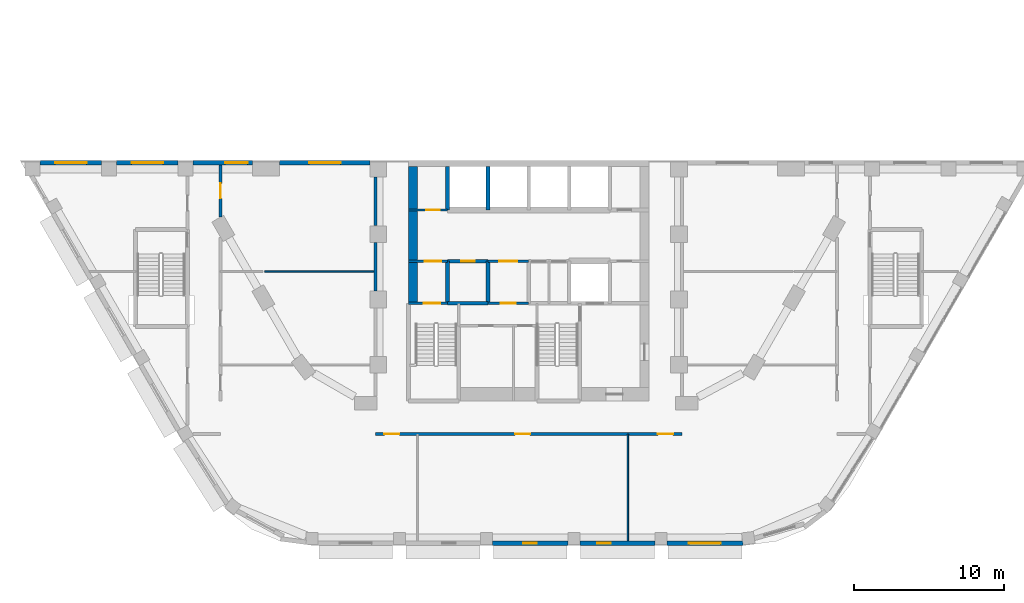
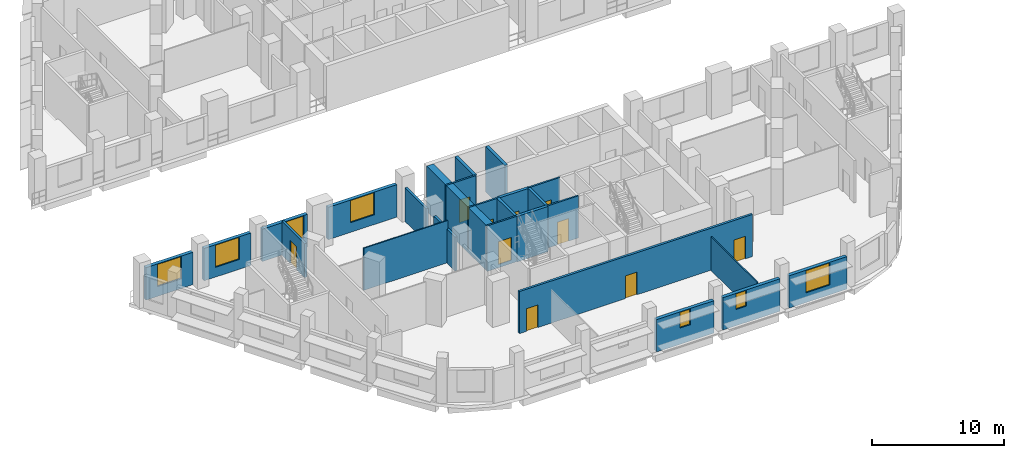
# One storey, part 17 of 33: 25 walls, 10 doors, 7 windows, 17 openings.
"""IFC4 building model written with IfcOpenShell, lengths in metres."""

from ifc_helpers import new_model, si_unit, direction, frame, frame_2d, origin, place, context, subcontext, project, spatial, rectangle, extrude, material, layer, layer_set, type_object, element, fill, save


model = new_model("IFC4")

# Units and contexts
model_context = context("Model", 3, precision=1e-05, world=origin(), true_north=direction((0.0, 1.0)))
body_context = subcontext(model_context, "Body", "Model", "MODEL_VIEW")
ifc_project = project(units=[si_unit("LENGTHUNIT", "METRE"), si_unit("AREAUNIT", "SQUARE_METRE"), si_unit("VOLUMEUNIT", "CUBIC_METRE"), si_unit("PLANEANGLEUNIT", "RADIAN"), si_unit("MASSUNIT", "GRAM", prefix="KILO")], contexts=[model_context])

# Site, building, storey
site_placement = place(None, origin())
site = spatial("IfcSite", under=ifc_project, at=site_placement, CompositionType="ELEMENT")
building_placement = place(site_placement, origin())
building = spatial("IfcBuilding", under=site, at=building_placement, Name="Nakaniwa Court", CompositionType="ELEMENT")
storey_placement = place(building_placement, frame((0.0, 0.0, 19.800048828125)))
storey = spatial("IfcBuildingStorey", under=building, at=storey_placement, Name="L04", CompositionType="ELEMENT", Elevation=19.800048828125)

# Wall, opening, door
ifc_material_1 = material(Name="Acoustic double stud partition")
ifc_layer_1 = layer(ifc_material_1, 0.199951171875)
ifc_layer_set_1 = layer_set([ifc_layer_1], Name="Acoustic double stud partition")
wall_type_1 = type_object("IfcWallType", Name="Acoustic double stud partition 200", PredefinedType="PARTITIONING", material=ifc_layer_set_1)
wall_1_placement = place(storey_placement, frame((59.5, 72.300048828125, 0.0), z_axis=(0.0, 0.0, 1.0), x_axis=(0.0, -1.0, 0.0)))
wall_1 = element("IfcWall", 1, at=wall_1_placement, inside=storey, type_object=wall_type_1, Name="Partition PW-097", PredefinedType="PARTITIONING", context=body_context, shape_type="SweptSolid", body=[
    extrude(rectangle(XDim=3.44921875, YDim=0.199951171875, at=frame_2d((1.724609375, 0.0))), origin(), (0.0, 0.0, 1.0), 3.1298828125),
])
opening_1_placement = place(wall_1_placement, frame((1.222900390625, 0.0, 0.0)))
opening_1 = element("IfcOpeningElement", 2, at=opening_1_placement, cuts=wall_1, Name="Opening D-02-16", PredefinedType="OPENING", context=body_context, shape_type="SweptSolid", body=[
    extrude(rectangle(XDim=1.0, YDim=2.10009765625, at=frame_2d((0.5, 1.050048828125))), frame((0.0, 0.10986328125, 0.0), z_axis=(0.0, -1.0, 0.0), x_axis=(1.0, 0.0, 0.0)), (0.0, 0.0, 1.0), 0.219970703125),
])
ifc_material_2 = material(Name="Solid core timber door set, black veneer", Category="wood")
door_type_1 = type_object("IfcDoorType", Name="Internal door 1000", OperationType="NOTDEFINED", PredefinedType="DOOR", material=ifc_material_2)
door_1_placement = place(opening_1_placement, origin())
door_1 = element("IfcDoor", 3, at=door_1_placement, inside=storey, type_object=door_type_1, Name="Door D-02-16 L04-047", OperationType="SINGLE_SWING_RIGHT", OverallHeight=2.10009765625, OverallWidth=1.0, PredefinedType="DOOR", context=body_context, shape_type="SweptSolid", body=[
    extrude(rectangle(XDim=1.0, YDim=2.10009765625, at=frame_2d((0.5, 1.050048828125))), frame((0.0, 0.02490234375, 0.0), z_axis=(0.0, -1.0, 0.0), x_axis=(1.0, 0.0, 0.0)), (0.0, 0.0, 1.0), 0.050048828125),
])
fill(opening_1, door_1)

# Walls
wall_2_placement = place(storey_placement, frame((69.800048828125, 63.9169921875, 0.0), z_axis=(0.0, 0.0, 1.0), x_axis=(0.0, 1.0, 0.0)))
element("IfcWall", 4, at=wall_2_placement, inside=storey, type_object=wall_type_1, Name="Partition PW-110", PredefinedType="PARTITIONING", context=body_context, shape_type="SweptSolid", body=[
    extrude(rectangle(XDim=3.216064453125, YDim=0.199951171875, at=frame_2d((1.60791015625, 0.0))), origin(), (0.0, 0.0, 1.0), 3.1298828125),
])
wall_3_placement = place(storey_placement, frame((69.800048828125, 68.26708984375, 0.0), z_axis=(0.0, 0.0, 1.0), x_axis=(0.0, 1.0, 0.0)))
element("IfcWall", 5, at=wall_3_placement, inside=storey, type_object=wall_type_1, Name="Partition PW-111", PredefinedType="PARTITIONING", context=body_context, shape_type="SweptSolid", body=[
    extrude(rectangle(XDim=3.2158203125, YDim=0.199951171875, at=frame_2d((1.60791015625, 0.0))), origin(), (0.0, 0.0, 1.0), 3.1298828125),
])

# Wall, openings, doors
wall_4_placement = place(storey_placement, frame((90.199951171875, 54.39990234375, 0.0), z_axis=(0.0, 0.0, 1.0), x_axis=(-1.0, 0.0, 0.0)))
wall_4 = element("IfcWall", 6, at=wall_4_placement, inside=storey, type_object=wall_type_1, Name="Partition PW-131", PredefinedType="PARTITIONING", context=body_context, shape_type="SweptSolid", body=[
    extrude(rectangle(XDim=20.39990234375, YDim=0.199951171875, at=frame_2d((10.199951171875, 0.0))), origin(), (0.0, 0.0, 1.0), 3.89990234375),
])
opening_2_placement = place(wall_4_placement, frame((18.800048828125, 0.0, 0.0)))
opening_2 = element("IfcOpeningElement", 7, at=opening_2_placement, cuts=wall_4, Name="Opening D-02-19", PredefinedType="OPENING", context=body_context, shape_type="SweptSolid", body=[
    extrude(rectangle(XDim=1.0, YDim=2.10009765625, at=frame_2d((0.5, 1.050048828125))), frame((0.0, 0.10986328125, 0.0), z_axis=(0.0, -1.0, 0.0), x_axis=(1.0, 0.0, 0.0)), (0.0, 0.0, 1.0), 0.219970703125),
])
opening_3_placement = place(wall_4_placement, frame((0.60009765625, 0.0, 0.0)))
opening_3 = element("IfcOpeningElement", 8, at=opening_3_placement, cuts=wall_4, Name="Opening D-02-20", PredefinedType="OPENING", context=body_context, shape_type="SweptSolid", body=[
    extrude(rectangle(XDim=1.0, YDim=2.10009765625, at=frame_2d((0.5, 1.050048828125))), frame((0.0, 0.10986328125, 0.0), z_axis=(0.0, -1.0, 0.0), x_axis=(1.0, 0.0, 0.0)), (0.0, 0.0, 1.0), 0.219970703125),
])
opening_4_placement = place(wall_4_placement, frame((10.10009765625, 0.0, 0.0)))
opening_4 = element("IfcOpeningElement", 9, at=opening_4_placement, cuts=wall_4, Name="Opening D-02-21", PredefinedType="OPENING", context=body_context, shape_type="SweptSolid", body=[
    extrude(rectangle(XDim=1.0, YDim=2.10009765625, at=frame_2d((0.5, 1.050048828125))), frame((0.0, 0.10986328125, 0.0), z_axis=(0.0, -1.0, 0.0), x_axis=(1.0, 0.0, 0.0)), (0.0, 0.0, 1.0), 0.219970703125),
])
door_2_placement = place(opening_2_placement, origin())
door_2 = element("IfcDoor", 10, at=door_2_placement, inside=storey, type_object=door_type_1, Name="Door D-02-19 L04-050", OperationType="SINGLE_SWING_LEFT", OverallHeight=2.10009765625, OverallWidth=1.0, PredefinedType="DOOR", context=body_context, shape_type="SweptSolid", body=[
    extrude(rectangle(XDim=1.0, YDim=2.10009765625, at=frame_2d((0.5, 1.050048828125))), frame((0.0, 0.02490234375, 0.0), z_axis=(0.0, -1.0, 0.0), x_axis=(1.0, 0.0, 0.0)), (0.0, 0.0, 1.0), 0.050048828125),
])
fill(opening_2, door_2)
door_3_placement = place(opening_3_placement, origin())
door_3 = element("IfcDoor", 11, at=door_3_placement, inside=storey, type_object=door_type_1, Name="Door D-02-20 L04-051", OperationType="SINGLE_SWING_RIGHT", OverallHeight=2.10009765625, OverallWidth=1.0, PredefinedType="DOOR", context=body_context, shape_type="SweptSolid", body=[
    extrude(rectangle(XDim=1.0, YDim=2.10009765625, at=frame_2d((0.5, 1.050048828125))), frame((0.0, 0.02490234375, 0.0), z_axis=(0.0, -1.0, 0.0), x_axis=(1.0, 0.0, 0.0)), (0.0, 0.0, 1.0), 0.050048828125),
])
fill(opening_3, door_3)
door_4_placement = place(opening_4_placement, origin())
door_4 = element("IfcDoor", 12, at=door_4_placement, inside=storey, type_object=door_type_1, Name="Door D-02-21 L04-052", OperationType="SINGLE_SWING_LEFT", OverallHeight=2.10009765625, OverallWidth=1.0, PredefinedType="DOOR", context=body_context, shape_type="SweptSolid", body=[
    extrude(rectangle(XDim=1.0, YDim=2.10009765625, at=frame_2d((0.5, 1.050048828125))), frame((0.0, 0.02490234375, 0.0), z_axis=(0.0, -1.0, 0.0), x_axis=(1.0, 0.0, 0.0)), (0.0, 0.0, 1.0), 0.050048828125),
])
fill(opening_4, door_4)

# Wall, opening, window
ifc_material_3 = material(Name="Charcoal ceramic cladding")
ifc_layer_2 = layer(ifc_material_3, 0.02, Name="Ceramic cladding")
ifc_material_4 = material(Name="Ventilated air cavity")
ifc_layer_3 = layer(ifc_material_4, 0.04, ventilated=True, Name="Ventilated cavity")
ifc_material_5 = material(Name="Mineral wool insulation")
ifc_layer_4 = layer(ifc_material_5, 0.1, Name="Insulation")
ifc_material_6 = material(Name="Cement bonded sheathing board")
ifc_layer_5 = layer(ifc_material_6, 0.012, Name="Sheathing")
ifc_material_7 = material(Name="Cold-formed galvanised stud frame with mineral wool infill")
ifc_layer_6 = layer(ifc_material_7, 0.1, Name="Stud frame")
ifc_material_8 = material(Name="Fire-rated gypsum plasterboard lining")
ifc_layer_7 = layer(ifc_material_8, 0.028, Name="Lining")
ifc_layer_set_2 = layer_set([ifc_layer_2, ifc_layer_3, ifc_layer_4, ifc_layer_5, ifc_layer_6, ifc_layer_7], Name="Charcoal ceramic faced external wall system")
wall_type_2 = type_object("IfcWallType", Name="Black ceramic faced external wall 300", PredefinedType="SOLIDWALL", material=ifc_layer_set_2)
wall_5_placement = place(storey_placement, frame((69.4541015625, 72.449951171875, 0.0), z_axis=(0.0, 0.0, 1.0), x_axis=(-1.0, 0.0, 0.0)))
wall_5 = element("IfcWall", 13, at=wall_5_placement, inside=storey, type_object=wall_type_2, Name="L04 external wall 08", PredefinedType="SOLIDWALL", context=body_context, shape_type="SweptSolid", body=[
    extrude(rectangle(XDim=6.01611328125, YDim=0.300048828125, at=frame_2d((3.008056640625, 0.0))), origin(), (0.0, 0.0, 1.0), 3.0),
])
opening_5_placement = place(wall_5_placement, frame((1.9580078125, 0.0, 0.89990234375)))
opening_5 = element("IfcOpeningElement", 14, at=opening_5_placement, cuts=wall_5, Name="Opening W2.05", PredefinedType="OPENING", context=body_context, shape_type="SweptSolid", body=[
    extrude(rectangle(XDim=2.10009765625, YDim=2.050048828125, at=frame_2d((1.050048828125, 1.02490234375))), frame((0.0, 0.159912109375, 0.0), z_axis=(0.0, -1.0, 0.0), x_axis=(1.0, 0.0, 0.0)), (0.0, 0.0, 1.0), 0.320068359375),
])
ifc_material_9 = material(Name="Black anodised aluminium frame with dark low-E laminated double glazing", Category="aluminium")
window_type_1 = type_object("IfcWindowType", Name="Dark glass window 2100x2050 sill 900", PartitioningType="SINGLE_PANEL", PredefinedType="WINDOW", material=ifc_material_9)
window_1_placement = place(opening_5_placement, origin())
window_1 = element("IfcWindow", 15, at=window_1_placement, inside=storey, type_object=window_type_1, Name="L04 habitable room window 08-0", OverallHeight=2.050048828125, OverallWidth=2.10009765625, PartitioningType="SINGLE_PANEL", PredefinedType="WINDOW", context=body_context, shape_type="SweptSolid", body=[
    extrude(rectangle(XDim=2.10009765625, YDim=2.050048828125, at=frame_2d((1.050048828125, 1.02490234375))), frame((0.0, 0.030029296875, 0.0), z_axis=(0.0, -1.0, 0.0), x_axis=(1.0, 0.0, 0.0)), (0.0, 0.0, 1.0), 0.06005859375),
])
fill(opening_5, window_1)

wall_6_placement = place(storey_placement, frame((61.64599609375, 72.449951171875, 0.0), z_axis=(0.0, 0.0, 1.0), x_axis=(-1.0, 0.0, 0.0)))
wall_6 = element("IfcWall", 16, at=wall_6_placement, inside=storey, type_object=wall_type_2, Name="L04 external wall 09", PredefinedType="SOLIDWALL", context=body_context, shape_type="SweptSolid", body=[
    extrude(rectangle(XDim=3.972900390625, YDim=0.300048828125, at=frame_2d((1.986328125, 0.0))), origin(), (0.0, 0.0, 1.0), 3.0),
])
opening_6_placement = place(wall_6_placement, frame((0.3349609375, 0.0, 0.89990234375)))
opening_6 = element("IfcOpeningElement", 17, at=opening_6_placement, cuts=wall_6, Name="Opening W4.06", PredefinedType="OPENING", context=body_context, shape_type="SweptSolid", body=[
    extrude(rectangle(XDim=1.5, YDim=2.050048828125, at=frame_2d((0.75, 1.02490234375))), frame((0.0, 0.159912109375, 0.0), z_axis=(0.0, -1.0, 0.0), x_axis=(1.0, 0.0, 0.0)), (0.0, 0.0, 1.0), 0.320068359375),
])
window_type_2 = type_object("IfcWindowType", Name="Dark glass window 1500x2050 sill 900", PartitioningType="SINGLE_PANEL", PredefinedType="WINDOW", material=ifc_material_9)
window_2_placement = place(opening_6_placement, origin())
window_2 = element("IfcWindow", 18, at=window_2_placement, inside=storey, type_object=window_type_2, Name="L04 habitable room window 09-0", OverallHeight=2.050048828125, OverallWidth=1.5, PartitioningType="SINGLE_PANEL", PredefinedType="WINDOW", context=body_context, shape_type="SweptSolid", body=[
    extrude(rectangle(XDim=1.5, YDim=2.050048828125, at=frame_2d((0.75, 1.02490234375))), frame((0.0, 0.030029296875, 0.0), z_axis=(0.0, -1.0, 0.0), x_axis=(1.0, 0.0, 0.0)), (0.0, 0.0, 1.0), 0.06005859375),
])
fill(opening_6, window_2)

wall_7_placement = place(storey_placement, frame((56.680908203125, 72.449951171875, 0.0), z_axis=(0.0, 0.0, 1.0), x_axis=(-1.0, 0.0, 0.0)))
wall_7 = element("IfcWall", 19, at=wall_7_placement, inside=storey, type_object=wall_type_2, Name="L04 external wall 10", PredefinedType="SOLIDWALL", context=body_context, shape_type="SweptSolid", body=[
    extrude(rectangle(XDim=4.093994140625, YDim=0.300048828125, at=frame_2d((2.046875, 0.0))), origin(), (0.0, 0.0, 1.0), 3.0),
])
opening_7_placement = place(wall_7_placement, frame((0.9970703125, 0.0, 0.89990234375)))
opening_7 = element("IfcOpeningElement", 20, at=opening_7_placement, cuts=wall_7, Name="Opening W2.07", PredefinedType="OPENING", context=body_context, shape_type="SweptSolid", body=[
    extrude(rectangle(XDim=2.10009765625, YDim=2.050048828125, at=frame_2d((1.050048828125, 1.02490234375))), frame((0.0, 0.159912109375, 0.0), z_axis=(0.0, -1.0, 0.0), x_axis=(1.0, 0.0, 0.0)), (0.0, 0.0, 1.0), 0.320068359375),
])
window_3_placement = place(opening_7_placement, origin())
window_3 = element("IfcWindow", 21, at=window_3_placement, inside=storey, type_object=window_type_1, Name="L04 habitable room window 10-0", OverallHeight=2.050048828125, OverallWidth=2.10009765625, PartitioningType="SINGLE_PANEL", PredefinedType="WINDOW", context=body_context, shape_type="SweptSolid", body=[
    extrude(rectangle(XDim=2.10009765625, YDim=2.050048828125, at=frame_2d((1.050048828125, 1.02490234375))), frame((0.0, 0.030029296875, 0.0), z_axis=(0.0, -1.0, 0.0), x_axis=(1.0, 0.0, 0.0)), (0.0, 0.0, 1.0), 0.06005859375),
])
fill(opening_7, window_3)

wall_8_placement = place(storey_placement, frame((51.594970703125, 72.449951171875, 0.0), z_axis=(0.0, 0.0, 1.0), x_axis=(-1.0, 0.0, 0.0)))
wall_8 = element("IfcWall", 22, at=wall_8_placement, inside=storey, type_object=wall_type_2, Name="L04 external wall 11", PredefinedType="SOLIDWALL", context=body_context, shape_type="SweptSolid", body=[
    extrude(rectangle(XDim=4.094970703125, YDim=0.300048828125, at=frame_2d((2.04736328125, 0.0))), origin(), (0.0, 0.0, 1.0), 3.0),
])
opening_8_placement = place(wall_8_placement, frame((0.99755859375, 0.0, 0.89990234375)))
opening_8 = element("IfcOpeningElement", 23, at=opening_8_placement, cuts=wall_8, Name="Opening W2.08", PredefinedType="OPENING", context=body_context, shape_type="SweptSolid", body=[
    extrude(rectangle(XDim=2.10009765625, YDim=2.050048828125, at=frame_2d((1.050048828125, 1.02490234375))), frame((0.0, 0.159912109375, 0.0), z_axis=(0.0, -1.0, 0.0), x_axis=(1.0, 0.0, 0.0)), (0.0, 0.0, 1.0), 0.320068359375),
])
window_4_placement = place(opening_8_placement, origin())
window_4 = element("IfcWindow", 24, at=window_4_placement, inside=storey, type_object=window_type_1, Name="L04 habitable room window 11-0", OverallHeight=2.050048828125, OverallWidth=2.10009765625, PartitioningType="SINGLE_PANEL", PredefinedType="WINDOW", context=body_context, shape_type="SweptSolid", body=[
    extrude(rectangle(XDim=2.10009765625, YDim=2.050048828125, at=frame_2d((1.050048828125, 1.02490234375))), frame((0.0, 0.030029296875, 0.0), z_axis=(0.0, -1.0, 0.0), x_axis=(1.0, 0.0, 0.0)), (0.0, 0.0, 1.0), 0.06005859375),
])
fill(opening_8, window_4)

wall_9_placement = place(storey_placement, frame((77.59619140625, 47.14990234375, 0.0), z_axis=(0.0, 0.0, 1.0), x_axis=(1.0, 0.0, 0.0)))
wall_9 = element("IfcWall", 25, at=wall_9_placement, inside=storey, type_object=wall_type_2, Name="L04 external wall 21", PredefinedType="SOLIDWALL", context=body_context, shape_type="SweptSolid", body=[
    extrude(rectangle(XDim=5.01025390625, YDim=0.300048828125, at=frame_2d((2.505126953125, 0.0))), origin(), (0.0, 0.0, 1.0), 3.0),
])
opening_9_placement = place(wall_9_placement, frame((2.05517578125, 0.0, 1.5)))
opening_9 = element("IfcOpeningElement", 26, at=opening_9_placement, cuts=wall_9, Name="Opening W3.17", PredefinedType="OPENING", context=body_context, shape_type="SweptSolid", body=[
    extrude(rectangle(XDim=0.89990234375, YDim=1.449951171875, at=frame_2d((0.449951171875, 0.72509765625))), frame((0.0, 0.159912109375, 0.0), z_axis=(0.0, -1.0, 0.0), x_axis=(1.0, 0.0, 0.0)), (0.0, 0.0, 1.0), 0.320068359375),
])
window_type_3 = type_object("IfcWindowType", Name="Dark glass window 900x1450 sill 1500", PartitioningType="SINGLE_PANEL", PredefinedType="WINDOW", material=ifc_material_9)
window_5_placement = place(opening_9_placement, origin())
window_5 = element("IfcWindow", 27, at=window_5_placement, inside=storey, type_object=window_type_3, Name="L04 bathroom window 21-0", OverallHeight=1.449951171875, OverallWidth=0.89990234375, PartitioningType="SINGLE_PANEL", PredefinedType="WINDOW", context=body_context, shape_type="SweptSolid", body=[
    extrude(rectangle(XDim=0.89990234375, YDim=1.449951171875, at=frame_2d((0.449951171875, 0.72509765625))), frame((0.0, 0.030029296875, 0.0), z_axis=(0.0, -1.0, 0.0), x_axis=(1.0, 0.0, 0.0)), (0.0, 0.0, 1.0), 0.06005859375),
])
fill(opening_9, window_5)

wall_10_placement = place(storey_placement, frame((83.3984375, 47.14990234375, 0.0), z_axis=(0.0, 0.0, 1.0), x_axis=(1.0, 0.0, 0.0)))
wall_10 = element("IfcWall", 28, at=wall_10_placement, inside=storey, type_object=wall_type_2, Name="L04 external wall 22", PredefinedType="SOLIDWALL", context=body_context, shape_type="SweptSolid", body=[
    extrude(rectangle(XDim=5.01025390625, YDim=0.300048828125, at=frame_2d((2.505126953125, 0.0))), origin(), (0.0, 0.0, 1.0), 3.0),
])
opening_10_placement = place(wall_10_placement, frame((1.16259765625, 0.0, 1.5)))
opening_10 = element("IfcOpeningElement", 29, at=opening_10_placement, cuts=wall_10, Name="Opening W3.18", PredefinedType="OPENING", context=body_context, shape_type="SweptSolid", body=[
    extrude(rectangle(XDim=0.89990234375, YDim=1.449951171875, at=frame_2d((0.449951171875, 0.72509765625))), frame((0.0, 0.159912109375, 0.0), z_axis=(0.0, -1.0, 0.0), x_axis=(1.0, 0.0, 0.0)), (0.0, 0.0, 1.0), 0.320068359375),
])
window_6_placement = place(opening_10_placement, origin())
window_6 = element("IfcWindow", 30, at=window_6_placement, inside=storey, type_object=window_type_3, Name="L04 bathroom window 22-0", OverallHeight=1.449951171875, OverallWidth=0.89990234375, PartitioningType="SINGLE_PANEL", PredefinedType="WINDOW", context=body_context, shape_type="SweptSolid", body=[
    extrude(rectangle(XDim=0.89990234375, YDim=1.449951171875, at=frame_2d((0.449951171875, 0.72509765625))), frame((0.0, 0.030029296875, 0.0), z_axis=(0.0, -1.0, 0.0), x_axis=(1.0, 0.0, 0.0)), (0.0, 0.0, 1.0), 0.06005859375),
])
fill(opening_10, window_6)

wall_11_placement = place(storey_placement, frame((89.20068359375, 47.14990234375, 0.0), z_axis=(0.0, 0.0, 1.0), x_axis=(1.0, 0.0, 0.0)))
wall_11 = element("IfcWall", 31, at=wall_11_placement, inside=storey, type_object=wall_type_2, Name="L04 external wall 23", PredefinedType="SOLIDWALL", context=body_context, shape_type="SweptSolid", body=[
    extrude(rectangle(XDim=5.048095703125, YDim=0.300048828125, at=frame_2d((2.52392578125, 0.0))), origin(), (0.0, 0.0, 1.0), 3.0),
])
opening_11_placement = place(wall_11_placement, frame((1.462646484375, 0.0, 0.89990234375)))
opening_11 = element("IfcOpeningElement", 32, at=opening_11_placement, cuts=wall_11, Name="Opening W2.19", PredefinedType="OPENING", context=body_context, shape_type="SweptSolid", body=[
    extrude(rectangle(XDim=2.10009765625, YDim=2.050048828125, at=frame_2d((1.050048828125, 1.02490234375))), frame((0.0, 0.159912109375, 0.0), z_axis=(0.0, -1.0, 0.0), x_axis=(1.0, 0.0, 0.0)), (0.0, 0.0, 1.0), 0.320068359375),
])
window_7_placement = place(opening_11_placement, origin())
window_7 = element("IfcWindow", 33, at=window_7_placement, inside=storey, type_object=window_type_1, Name="L04 habitable room window 23-0", OverallHeight=2.050048828125, OverallWidth=2.10009765625, PartitioningType="SINGLE_PANEL", PredefinedType="WINDOW", context=body_context, shape_type="SweptSolid", body=[
    extrude(rectangle(XDim=2.10009765625, YDim=2.050048828125, at=frame_2d((1.050048828125, 1.02490234375))), frame((0.0, 0.030029296875, 0.0), z_axis=(0.0, -1.0, 0.0), x_axis=(1.0, 0.0, 0.0)), (0.0, 0.0, 1.0), 0.06005859375),
])
fill(opening_11, window_7)

# Wall, opening, door
ifc_material_10 = material(Name="Blockwork partition", Category="masonry")
ifc_layer_8 = layer(ifc_material_10, 0.14990234375)
ifc_layer_set_3 = layer_set([ifc_layer_8], Name="Blockwork partition")
wall_type_3 = type_object("IfcWallType", Name="Blockwork partition 150", PredefinedType="PARTITIONING", material=ifc_layer_set_3)
wall_12_placement = place(storey_placement, frame((72.0, 69.300048828125, 0.0), z_axis=(0.0, 0.0, 1.0), x_axis=(1.0, 0.0, 0.0)))
wall_12 = element("IfcWall", 34, at=wall_12_placement, inside=storey, type_object=wall_type_3, Name="Partition PW-041", PredefinedType="PARTITIONING", context=body_context, shape_type="SweptSolid", body=[
    extrude(rectangle(XDim=2.60009765625, YDim=0.14990234375, at=frame_2d((1.300048828125, 0.0))), origin(), (0.0, 0.0, 1.0), 3.89990234375),
])
opening_12_placement = place(wall_12_placement, frame((1.175048828125, 0.0, 0.0)))
opening_12 = element("IfcOpeningElement", 35, at=opening_12_placement, cuts=wall_12, Name="Opening D-05-09", PredefinedType="OPENING", context=body_context, shape_type="SweptSolid", body=[
    extrude(rectangle(XDim=0.89990234375, YDim=2.10009765625, at=frame_2d((0.449951171875, 1.050048828125))), frame((0.0, 0.0849609375, 0.0), z_axis=(0.0, -1.0, 0.0), x_axis=(1.0, 0.0, 0.0)), (0.0, 0.0, 1.0), 0.169921875),
])
ifc_material_11 = material(Name="Fire rated steel door set", Category="steel")
door_type_2 = type_object("IfcDoorType", Name="Service room door 900", OperationType="NOTDEFINED", PredefinedType="DOOR", material=ifc_material_11)
door_5_placement = place(opening_12_placement, origin())
door_5 = element("IfcDoor", 36, at=door_5_placement, inside=storey, type_object=door_type_2, Name="Door D-05-09 L04-014", OperationType="SINGLE_SWING_LEFT", OverallHeight=2.10009765625, OverallWidth=0.89990234375, PredefinedType="DOOR", context=body_context, shape_type="SweptSolid", body=[
    extrude(rectangle(XDim=0.89990234375, YDim=2.10009765625, at=frame_2d((0.449951171875, 1.050048828125))), frame((0.0, 0.02490234375, 0.0), z_axis=(0.0, -1.0, 0.0), x_axis=(1.0, 0.0, 0.0)), (0.0, 0.0, 1.0), 0.050048828125),
])
fill(opening_12, door_5)

wall_13_placement = place(storey_placement, frame((74.60302734375, 65.89990234375, 0.0), z_axis=(0.0, 0.0, 1.0), x_axis=(-1.0, 0.0, 0.0)))
wall_13 = element("IfcWall", 37, at=wall_13_placement, inside=storey, type_object=wall_type_3, Name="Partition PW-054", PredefinedType="PARTITIONING", context=body_context, shape_type="SweptSolid", body=[
    extrude(rectangle(XDim=2.60302734375, YDim=0.14990234375, at=frame_2d((1.301513671875, 0.0))), origin(), (0.0, 0.0, 1.0), 3.89990234375),
])
opening_13_placement = place(wall_13_placement, frame((0.427978515625, 0.0, 0.0)))
opening_13 = element("IfcOpeningElement", 38, at=opening_13_placement, cuts=wall_13, Name="Opening D-08-02", PredefinedType="OPENING", context=body_context, shape_type="SweptSolid", body=[
    extrude(rectangle(XDim=1.10009765625, YDim=2.10009765625, at=frame_2d((0.550048828125, 1.050048828125))), frame((0.0, 0.0849609375, 0.0), z_axis=(0.0, -1.0, 0.0), x_axis=(1.0, 0.0, 0.0)), (0.0, 0.0, 1.0), 0.169921875),
])
door_type_3 = type_object("IfcDoorType", Name="Stair lobby door 1100", OperationType="NOTDEFINED", PredefinedType="DOOR", material=ifc_material_11)
door_6_placement = place(opening_13_placement, origin())
door_6 = element("IfcDoor", 39, at=door_6_placement, inside=storey, type_object=door_type_3, Name="Door D-08-02 L04-016", OperationType="SINGLE_SWING_LEFT", OverallHeight=2.10009765625, OverallWidth=1.10009765625, PredefinedType="DOOR", context=body_context, shape_type="SweptSolid", body=[
    extrude(rectangle(XDim=1.10009765625, YDim=2.10009765625, at=frame_2d((0.550048828125, 1.050048828125))), frame((0.0, 0.02490234375, 0.0), z_axis=(0.0, -1.0, 0.0), x_axis=(1.0, 0.0, 0.0)), (0.0, 0.0, 1.0), 0.050048828125),
])
fill(opening_13, door_6)

wall_14_placement = place(storey_placement, frame((80.0029296875, 65.89990234375, 0.0), z_axis=(0.0, 0.0, 1.0), x_axis=(-1.0, 0.0, 0.0)))
wall_14 = element("IfcWall", 40, at=wall_14_placement, inside=storey, type_object=wall_type_3, Name="Partition PW-055", PredefinedType="PARTITIONING", context=body_context, shape_type="SweptSolid", body=[
    extrude(rectangle(XDim=2.705810546875, YDim=0.14990234375, at=frame_2d((1.35302734375, 0.0))), origin(), (0.0, 0.0, 1.0), 3.89990234375),
])
opening_14_placement = place(wall_14_placement, frame((0.7529296875, 0.0, 0.0)))
opening_14 = element("IfcOpeningElement", 41, at=opening_14_placement, cuts=wall_14, Name="Opening D-06-02", PredefinedType="OPENING", context=body_context, shape_type="SweptSolid", body=[
    extrude(rectangle(XDim=1.199951171875, YDim=2.10009765625, at=frame_2d((0.60009765625, 1.050048828125))), frame((0.0, 0.0849609375, 0.0), z_axis=(0.0, -1.0, 0.0), x_axis=(1.0, 0.0, 0.0)), (0.0, 0.0, 1.0), 0.169921875),
])
ifc_material_12 = material(Name="Fire rated steel double door set", Category="steel")
door_type_4 = type_object("IfcDoorType", Name="Service passage double door 1200", OperationType="NOTDEFINED", PredefinedType="DOOR", material=ifc_material_12)
door_7_placement = place(opening_14_placement, origin())
door_7 = element("IfcDoor", 42, at=door_7_placement, inside=storey, type_object=door_type_4, Name="Door D-06-02 L04-018", OperationType="DOUBLE_DOOR_SINGLE_SWING", OverallHeight=2.10009765625, OverallWidth=1.199951171875, PredefinedType="DOOR", context=body_context, shape_type="SweptSolid", body=[
    extrude(rectangle(XDim=1.199951171875, YDim=2.10009765625, at=frame_2d((0.60009765625, 1.050048828125))), frame((0.0, 0.02490234375, 0.0), z_axis=(0.0, -1.0, 0.0), x_axis=(1.0, 0.0, 0.0)), (0.0, 0.0, 1.0), 0.050048828125),
])
fill(opening_14, door_7)

wall_15_placement = place(storey_placement, frame((80.0, 63.10009765625, 0.0), z_axis=(0.0, 0.0, 1.0), x_axis=(-1.0, 0.0, 0.0)))
wall_15 = element("IfcWall", 43, at=wall_15_placement, inside=storey, type_object=wall_type_3, Name="Partition PW-063", PredefinedType="PARTITIONING", context=body_context, shape_type="SweptSolid", body=[
    extrude(rectangle(XDim=2.699951171875, YDim=0.14990234375, at=frame_2d((1.35009765625, 0.0))), origin(), (0.0, 0.0, 1.0), 3.89990234375),
])
opening_15_placement = place(wall_15_placement, frame((0.85009765625, 0.0, 0.0)))
opening_15 = element("IfcOpeningElement", 44, at=opening_15_placement, cuts=wall_15, Name="Opening D-23-02", PredefinedType="OPENING", context=body_context, shape_type="SweptSolid", body=[
    extrude(rectangle(XDim=1.0, YDim=2.10009765625, at=frame_2d((0.5, 1.050048828125))), frame((0.0, 0.0849609375, 0.0), z_axis=(0.0, -1.0, 0.0), x_axis=(1.0, 0.0, 0.0)), (0.0, 0.0, 1.0), 0.169921875),
])
door_type_5 = type_object("IfcDoorType", Name="Service room door 1000", OperationType="NOTDEFINED", PredefinedType="DOOR", material=ifc_material_11)
door_8_placement = place(opening_15_placement, origin())
door_8 = element("IfcDoor", 45, at=door_8_placement, inside=storey, type_object=door_type_5, Name="Door D-23-02 L04-022", OperationType="SINGLE_SWING_LEFT", OverallHeight=2.10009765625, OverallWidth=1.0, PredefinedType="DOOR", context=body_context, shape_type="SweptSolid", body=[
    extrude(rectangle(XDim=1.0, YDim=2.10009765625, at=frame_2d((0.5, 1.050048828125))), frame((0.0, 0.02490234375, 0.0), z_axis=(0.0, -1.0, 0.0), x_axis=(1.0, 0.0, 0.0)), (0.0, 0.0, 1.0), 0.050048828125),
])
fill(opening_15, door_8)

# Wall
ifc_material_13 = material(Name="Concrete C100/115", Category="concrete")
ifc_layer_9 = layer(ifc_material_13, 0.60009765625)
ifc_layer_set_4 = layer_set([ifc_layer_9], Name="Concrete C100/115")
wall_type_4 = type_object("IfcWallType", Name="Concrete core side wall 600 C100", PredefinedType="SHEAR", material=ifc_layer_set_4)
wall_16_placement = place(storey_placement, frame((72.300048828125, 63.10009765625, -0.300048828125), z_axis=(0.0, 0.0, 1.0), x_axis=(0.0, 1.0, 0.0)))
element("IfcWall", 46, at=wall_16_placement, inside=storey, type_object=wall_type_4, Name="Core wall SW-42", PredefinedType="SHEAR", context=body_context, shape_type="SweptSolid", body=[
    extrude(rectangle(XDim=9.099853515625, YDim=0.60009765625, at=frame_2d((4.5498046875, 0.0))), origin(), (0.0, 0.0, 1.0), 4.199951171875),
])

# Wall, opening, door
ifc_layer_10 = layer(ifc_material_13, 0.14990234375)
ifc_layer_set_5 = layer_set([ifc_layer_10], Name="Concrete C100/115")
wall_type_5 = type_object("IfcWallType", Name="Concrete core wall 150 C100", PredefinedType="SHEAR", material=ifc_layer_set_5)
wall_17_placement = place(storey_placement, frame((72.0, 63.10009765625, -0.300048828125), z_axis=(0.0, 0.0, 1.0), x_axis=(1.0, 0.0, 0.0)))
wall_17 = element("IfcWall", 47, at=wall_17_placement, inside=storey, type_object=wall_type_5, Name="Core wall SW-60", PredefinedType="SHEAR", context=body_context, shape_type="SweptSolid", body=[
    extrude(rectangle(XDim=2.60009765625, YDim=0.14990234375, at=frame_2d((1.300048828125, 0.0))), origin(), (0.0, 0.0, 1.0), 4.199951171875),
])
opening_16_placement = place(wall_17_placement, frame((1.02001953125, 0.0, 0.300048828125)))
opening_16 = element("IfcOpeningElement", 48, at=opening_16_placement, cuts=wall_17, Name="Opening D-09-02", PredefinedType="OPENING", context=body_context, shape_type="SweptSolid", body=[
    extrude(rectangle(XDim=1.10009765625, YDim=2.10009765625, at=frame_2d((0.550048828125, 1.050048828125))), frame((0.0, 0.0849609375, 0.0), z_axis=(0.0, -1.0, 0.0), x_axis=(1.0, 0.0, 0.0)), (0.0, 0.0, 1.0), 0.169921875),
])
door_type_6 = type_object("IfcDoorType", Name="Stair door 1100", OperationType="NOTDEFINED", PredefinedType="DOOR", material=ifc_material_11)
door_9_placement = place(opening_16_placement, origin())
door_9 = element("IfcDoor", 49, at=door_9_placement, inside=storey, type_object=door_type_6, Name="Door D-09-02 L04-025", OperationType="SINGLE_SWING_LEFT", OverallHeight=2.10009765625, OverallWidth=1.10009765625, PredefinedType="DOOR", context=body_context, shape_type="SweptSolid", body=[
    extrude(rectangle(XDim=1.10009765625, YDim=2.10009765625, at=frame_2d((0.550048828125, 1.050048828125))), frame((0.0, 0.02490234375, 0.0), z_axis=(0.0, -1.0, 0.0), x_axis=(1.0, 0.0, 0.0)), (0.0, 0.0, 1.0), 0.050048828125),
])
fill(opening_16, door_9)

# Walls
ifc_layer_11 = layer(ifc_material_13, 0.25)
ifc_layer_set_6 = layer_set([ifc_layer_11], Name="Concrete C100/115")
wall_type_6 = type_object("IfcWallType", Name="Concrete shaft wall 250 C100", PredefinedType="SHEAR", material=ifc_layer_set_6)
wall_18_placement = place(storey_placement, frame((74.60009765625, 63.10009765625, -0.300048828125), z_axis=(0.0, 0.0, 1.0), x_axis=(0.0, 1.0, 0.0)))
element("IfcWall", 50, at=wall_18_placement, inside=storey, type_object=wall_type_6, Name="Core wall SW-39", PredefinedType="SHEAR", context=body_context, shape_type="SweptSolid", body=[
    extrude(rectangle(XDim=2.7998046875, YDim=0.25, at=frame_2d((1.39990234375, 0.0))), origin(), (0.0, 0.0, 1.0), 4.199951171875),
])
wall_19_placement = place(storey_placement, frame((74.60009765625, 69.300048828125, -0.300048828125), z_axis=(0.0, 0.0, 1.0), x_axis=(0.0, 1.0, 0.0)))
element("IfcWall", 51, at=wall_19_placement, inside=storey, type_object=wall_type_6, Name="Core wall SW-40", PredefinedType="SHEAR", context=body_context, shape_type="SweptSolid", body=[
    extrude(rectangle(XDim=2.89990234375, YDim=0.25, at=frame_2d((1.449951171875, 0.0))), origin(), (0.0, 0.0, 1.0), 4.199951171875),
])
wall_20_placement = place(storey_placement, frame((77.300048828125, 63.10009765625, -0.300048828125), z_axis=(0.0, 0.0, 1.0), x_axis=(0.0, 1.0, 0.0)))
element("IfcWall", 52, at=wall_20_placement, inside=storey, type_object=wall_type_6, Name="Core wall SW-43", PredefinedType="SHEAR", context=body_context, shape_type="SweptSolid", body=[
    extrude(rectangle(XDim=2.7998046875, YDim=0.25, at=frame_2d((1.39990234375, 0.0))), origin(), (0.0, 0.0, 1.0), 4.199951171875),
])
wall_21_placement = place(storey_placement, frame((77.300048828125, 69.300048828125, -0.300048828125), z_axis=(0.0, 0.0, 1.0), x_axis=(0.0, 1.0, 0.0)))
element("IfcWall", 53, at=wall_21_placement, inside=storey, type_object=wall_type_6, Name="Core wall SW-44", PredefinedType="SHEAR", context=body_context, shape_type="SweptSolid", body=[
    extrude(rectangle(XDim=2.89990234375, YDim=0.25, at=frame_2d((1.449951171875, 0.0))), origin(), (0.0, 0.0, 1.0), 4.199951171875),
])

# Wall, opening, door
wall_22_placement = place(storey_placement, frame((77.302978515625, 65.89990234375, -0.300048828125), z_axis=(0.0, 0.0, 1.0), x_axis=(-1.0, 0.0, 0.0)))
wall_22 = element("IfcWall", 54, at=wall_22_placement, inside=storey, type_object=wall_type_6, Name="Core wall SW-57", PredefinedType="SHEAR", context=body_context, shape_type="SweptSolid", body=[
    extrude(rectangle(XDim=2.7060546875, YDim=0.25, at=frame_2d((1.35302734375, 0.0))), origin(), (0.0, 0.0, 1.0), 4.199951171875),
])
opening_17_placement = place(wall_22_placement, frame((0.903076171875, 0.0, 0.300048828125)))
opening_17 = element("IfcOpeningElement", 55, at=opening_17_placement, cuts=wall_22, Name="Opening D-05-11", PredefinedType="OPENING", context=body_context, shape_type="SweptSolid", body=[
    extrude(rectangle(XDim=0.89990234375, YDim=2.10009765625, at=frame_2d((0.449951171875, 1.050048828125))), frame((0.0, 0.135009765625, 0.0), z_axis=(0.0, -1.0, 0.0), x_axis=(1.0, 0.0, 0.0)), (0.0, 0.0, 1.0), 0.27001953125),
])
door_10_placement = place(opening_17_placement, origin())
door_10 = element("IfcDoor", 56, at=door_10_placement, inside=storey, type_object=door_type_2, Name="Door D-05-11 L04-017", OperationType="SINGLE_SWING_RIGHT", OverallHeight=2.10009765625, OverallWidth=0.89990234375, PredefinedType="DOOR", context=body_context, shape_type="SweptSolid", body=[
    extrude(rectangle(XDim=0.89990234375, YDim=2.10009765625, at=frame_2d((0.449951171875, 1.050048828125))), frame((0.0, 0.02490234375, 0.0), z_axis=(0.0, -1.0, 0.0), x_axis=(1.0, 0.0, 0.0)), (0.0, 0.0, 1.0), 0.050048828125),
])
fill(opening_17, door_10)

# Walls
wall_23_placement = place(storey_placement, frame((74.60009765625, 63.10009765625, -0.300048828125), z_axis=(0.0, 0.0, 1.0), x_axis=(1.0, 0.0, 0.0)))
element("IfcWall", 57, at=wall_23_placement, inside=storey, type_object=wall_type_6, Name="Core wall SW-61", PredefinedType="SHEAR", context=body_context, shape_type="SweptSolid", body=[
    extrude(rectangle(XDim=2.699951171875, YDim=0.25, at=frame_2d((1.35009765625, 0.0))), origin(), (0.0, 0.0, 1.0), 4.199951171875),
])
ifc_material_14 = material(Name="Single stud plasterboard partition")
ifc_layer_12 = layer(ifc_material_14, 0.10009765625)
ifc_layer_set_7 = layer_set([ifc_layer_12], Name="Single stud plasterboard partition")
wall_type_7 = type_object("IfcWallType", Name="Single stud plasterboard partition 100", PredefinedType="PARTITIONING", material=ifc_layer_set_7)
wall_24_placement = place(storey_placement, frame((62.43359375, 65.199951171875, 0.0), z_axis=(0.0, 0.0, 1.0), x_axis=(1.0, 0.0, 0.0)))
element("IfcWall", 58, at=wall_24_placement, inside=storey, type_object=wall_type_7, Name="Partition PW-139", PredefinedType="PARTITIONING", context=body_context, shape_type="SweptSolid", body=[
    extrude(rectangle(XDim=7.366455078125, YDim=0.10009765625, at=frame_2d((3.68310546875, 0.0))), origin(), (0.0, 0.0, 1.0), 3.89990234375),
])
wall_25_placement = place(storey_placement, frame((86.60009765625, 47.300048828125, 0.0), z_axis=(0.0, 0.0, 1.0), x_axis=(0.0, 1.0, 0.0)))
element("IfcWall", 59, at=wall_25_placement, inside=storey, type_object=wall_type_7, Name="Partition PW-148", PredefinedType="PARTITIONING", context=body_context, shape_type="SweptSolid", body=[
    extrude(rectangle(XDim=7.099853515625, YDim=0.10009765625, at=frame_2d((3.5498046875, 0.0))), origin(), (0.0, 0.0, 1.0), 3.1298828125),
])

save(model, "model.ifc")
